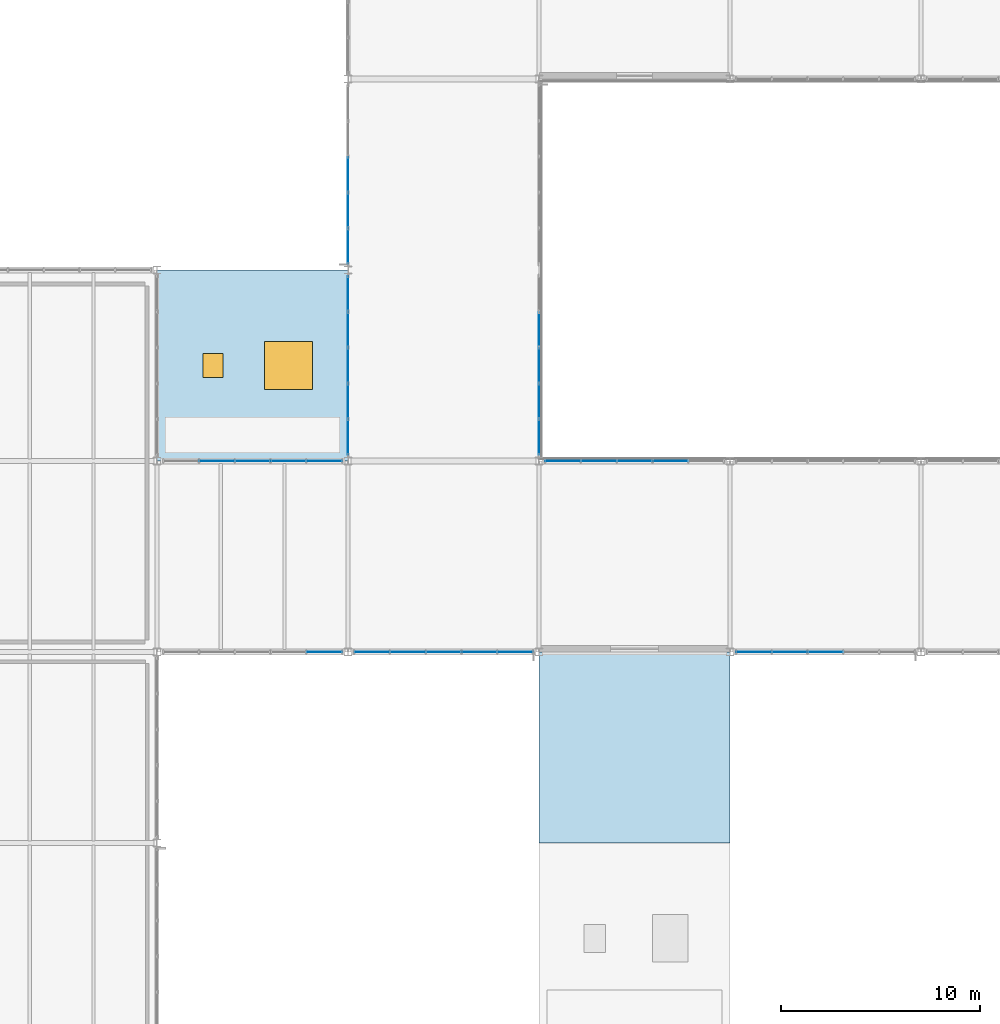
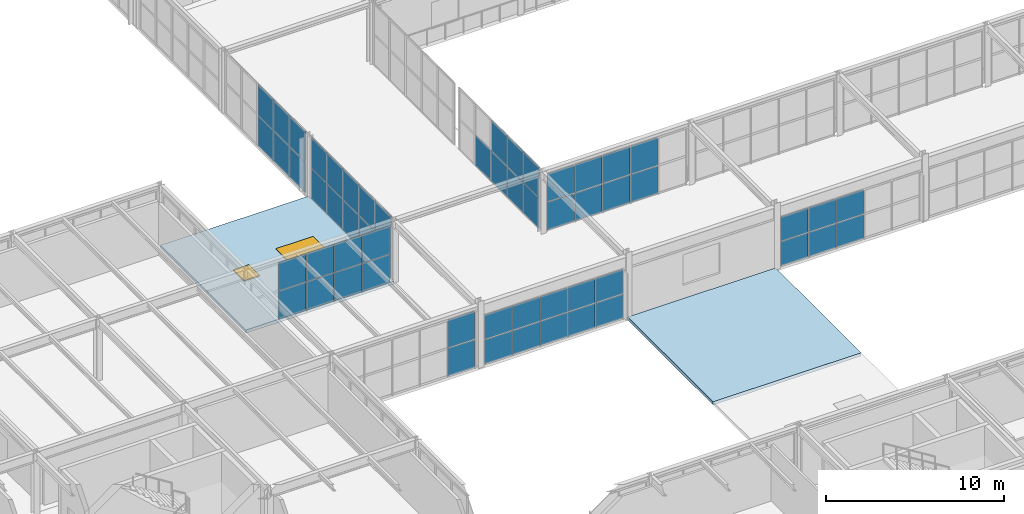
# One storey, part 134 of 170: 57 plates, 2 slabs, 1 door, 1 window, 2 openings, 8 elements without a shape of their own.
"""IFC4 building model written with IfcOpenShell, lengths in metres."""

from ifc_helpers import new_model, si_unit, direction, frame, origin, origin_2d, place, context, subcontext, project, spatial, polyline, rectangle, outline, extrude, material, layer, layer_set, type_object, element, fill, aggregate, save


model = new_model("IFC4")

# Units and contexts
model_context = context("Model", 3, precision=1e-05, world=origin(), true_north=direction((0.0, 1.0)))
body_context = subcontext(model_context, "Body", "Model", "MODEL_VIEW")
ifc_project = project(units=[si_unit("LENGTHUNIT", "METRE"), si_unit("AREAUNIT", "SQUARE_METRE"), si_unit("VOLUMEUNIT", "CUBIC_METRE"), si_unit("PLANEANGLEUNIT", "RADIAN"), si_unit("MASSUNIT", "GRAM", prefix="KILO")], contexts=[model_context])

# Site, building, storey
site_placement = place(None, origin())
site = spatial("IfcSite", under=ifc_project, at=site_placement, CompositionType="ELEMENT")
building_placement = place(site_placement, origin())
building = spatial("IfcBuilding", under=site, at=building_placement, Name="Coralgate Yard Interchange", CompositionType="ELEMENT")
storey_placement = place(building_placement, frame((0.0, 0.0, 6.0)))
storey = spatial("IfcBuildingStorey", under=building, at=storey_placement, Name="L01", CompositionType="ELEMENT", Elevation=6.0)

# Curtain wall, plates
ifc_material_1 = material(Name="Anodised coastal aluminium and solar-control low-E glass", Category="aluminium")
curtain_wall_type_1 = type_object("IfcCurtainWallType", Name="CW-CW-L01-B", PredefinedType="NOTDEFINED", material=ifc_material_1)
curtain_wall_1_placement = place(storey_placement, origin())
curtain_wall_1 = element("IfcCurtainWall", 1, at=curtain_wall_1_placement, inside=storey, type_object=curtain_wall_type_1, Name="L01 unitised curtain wall CW-L01-S-03-04", PredefinedType="NOTDEFINED")
ifc_material_2 = material(Name="Solar-control double-glazed low-E glass unit", Category="glass")
ifc_layer_1 = layer(ifc_material_2, 0.031982421875)
ifc_layer_set_1 = layer_set([ifc_layer_1], Name="Solar-control double-glazed low-E glass unit")
plate_type = type_object("IfcPlateType", Name="PLT-CP-32", PredefinedType="CURTAIN_PANEL", material=ifc_layer_set_1)
plate_1_placement = place(storey_placement, frame((37.199951171875, 38.39990234375, 0.025146484375), z_axis=(0.0, 0.0, 1.0), x_axis=(-1.0, 0.0, 0.0)))
plate_1 = element("IfcPlate", 2, at=plate_1_placement, type_object=plate_type, Name="CW-L01-S-03-04 solar-control glazing panel 1-1", PredefinedType="CURTAIN_PANEL", context=body_context, shape_type="SweptSolid", body=[
    extrude(rectangle(XDim=1.75, YDim=0.031982421875, at=origin_2d()), origin(), (0.0, 0.0, 1.0), 1.89990234375),
])
plate_2_placement = place(storey_placement, frame((37.199951171875, 38.39990234375, 1.97509765625), z_axis=(0.0, 0.0, 1.0), x_axis=(-1.0, 0.0, 0.0)))
plate_2 = element("IfcPlate", 3, at=plate_2_placement, type_object=plate_type, Name="CW-L01-S-03-04 solar-control glazing panel 1-2", PredefinedType="CURTAIN_PANEL", context=body_context, shape_type="SweptSolid", body=[
    extrude(rectangle(XDim=1.75, YDim=0.031982421875, at=origin_2d()), origin(), (0.0, 0.0, 1.0), 1.89990234375),
])
aggregate(curtain_wall_1, [plate_1, plate_2])

curtain_wall_type_2 = type_object("IfcCurtainWallType", Name="CW-CW-L01-A", PredefinedType="NOTDEFINED", material=ifc_material_1)
curtain_wall_2_placement = place(storey_placement, origin())
curtain_wall_2 = element("IfcCurtainWall", 4, at=curtain_wall_2_placement, inside=storey, type_object=curtain_wall_type_2, Name="L01 unitised curtain wall CW-L01-N-03-04", PredefinedType="NOTDEFINED")
plate_3_placement = place(storey_placement, frame((31.800048828125, 48.0, 0.025146484375), z_axis=(0.0, 0.0, 1.0), x_axis=(1.0, 0.0, 0.0)))
plate_3 = element("IfcPlate", 5, at=plate_3_placement, type_object=plate_type, Name="CW-L01-N-03-04 solar-control glazing panel 2-1", PredefinedType="CURTAIN_PANEL", context=body_context, shape_type="SweptSolid", body=[
    extrude(rectangle(XDim=1.75, YDim=0.031982421875, at=origin_2d()), origin(), (0.0, 0.0, 1.0), 1.89990234375),
])
plate_4_placement = place(storey_placement, frame((31.800048828125, 48.0, 1.97509765625), z_axis=(0.0, 0.0, 1.0), x_axis=(1.0, 0.0, 0.0)))
plate_4 = element("IfcPlate", 6, at=plate_4_placement, type_object=plate_type, Name="CW-L01-N-03-04 solar-control glazing panel 2-2", PredefinedType="CURTAIN_PANEL", context=body_context, shape_type="SweptSolid", body=[
    extrude(rectangle(XDim=1.75, YDim=0.031982421875, at=origin_2d()), origin(), (0.0, 0.0, 1.0), 1.89990234375),
])
plate_5_placement = place(storey_placement, frame((33.60009765625, 48.0, 0.025146484375), z_axis=(0.0, 0.0, 1.0), x_axis=(1.0, 0.0, 0.0)))
plate_5 = element("IfcPlate", 7, at=plate_5_placement, type_object=plate_type, Name="CW-L01-N-03-04 solar-control glazing panel 3-1", PredefinedType="CURTAIN_PANEL", context=body_context, shape_type="SweptSolid", body=[
    extrude(rectangle(XDim=1.75, YDim=0.031982421875, at=origin_2d()), origin(), (0.0, 0.0, 1.0), 1.89990234375),
])
plate_6_placement = place(storey_placement, frame((33.60009765625, 48.0, 1.97509765625), z_axis=(0.0, 0.0, 1.0), x_axis=(1.0, 0.0, 0.0)))
plate_6 = element("IfcPlate", 8, at=plate_6_placement, type_object=plate_type, Name="CW-L01-N-03-04 solar-control glazing panel 3-2", PredefinedType="CURTAIN_PANEL", context=body_context, shape_type="SweptSolid", body=[
    extrude(rectangle(XDim=1.75, YDim=0.031982421875, at=origin_2d()), origin(), (0.0, 0.0, 1.0), 1.89990234375),
])
plate_7_placement = place(storey_placement, frame((35.39990234375, 48.0, 0.025146484375), z_axis=(0.0, 0.0, 1.0), x_axis=(1.0, 0.0, 0.0)))
plate_7 = element("IfcPlate", 9, at=plate_7_placement, type_object=plate_type, Name="CW-L01-N-03-04 solar-control glazing panel 4-1", PredefinedType="CURTAIN_PANEL", context=body_context, shape_type="SweptSolid", body=[
    extrude(rectangle(XDim=1.75, YDim=0.031982421875, at=origin_2d()), origin(), (0.0, 0.0, 1.0), 1.89990234375),
])
plate_8_placement = place(storey_placement, frame((35.39990234375, 48.0, 1.97509765625), z_axis=(0.0, 0.0, 1.0), x_axis=(1.0, 0.0, 0.0)))
plate_8 = element("IfcPlate", 10, at=plate_8_placement, type_object=plate_type, Name="CW-L01-N-03-04 solar-control glazing panel 4-2", PredefinedType="CURTAIN_PANEL", context=body_context, shape_type="SweptSolid", body=[
    extrude(rectangle(XDim=1.75, YDim=0.031982421875, at=origin_2d()), origin(), (0.0, 0.0, 1.0), 1.89990234375),
])
plate_9_placement = place(storey_placement, frame((37.199951171875, 48.0, 0.025146484375), z_axis=(0.0, 0.0, 1.0), x_axis=(1.0, 0.0, 0.0)))
plate_9 = element("IfcPlate", 11, at=plate_9_placement, type_object=plate_type, Name="CW-L01-N-03-04 solar-control glazing panel 5-1", PredefinedType="CURTAIN_PANEL", context=body_context, shape_type="SweptSolid", body=[
    extrude(rectangle(XDim=1.75, YDim=0.031982421875, at=origin_2d()), origin(), (0.0, 0.0, 1.0), 1.89990234375),
])
plate_10_placement = place(storey_placement, frame((37.199951171875, 48.0, 1.97509765625), z_axis=(0.0, 0.0, 1.0), x_axis=(1.0, 0.0, 0.0)))
plate_10 = element("IfcPlate", 12, at=plate_10_placement, type_object=plate_type, Name="CW-L01-N-03-04 solar-control glazing panel 5-2", PredefinedType="CURTAIN_PANEL", context=body_context, shape_type="SweptSolid", body=[
    extrude(rectangle(XDim=1.75, YDim=0.031982421875, at=origin_2d()), origin(), (0.0, 0.0, 1.0), 1.89990234375),
])
aggregate(curtain_wall_2, [plate_3, plate_4, plate_5, plate_6, plate_7, plate_8, plate_9, plate_10])

curtain_wall_3_placement = place(storey_placement, origin())
curtain_wall_3 = element("IfcCurtainWall", 13, at=curtain_wall_3_placement, inside=storey, type_object=curtain_wall_type_1, Name="L01 unitised curtain wall CW-L01-S-04-04", PredefinedType="NOTDEFINED")
plate_11_placement = place(storey_placement, frame((46.800048828125, 38.39990234375, 0.02490234375), z_axis=(0.0, 0.0, 1.0), x_axis=(-1.0, 0.0, 0.0)))
plate_11 = element("IfcPlate", 14, at=plate_11_placement, type_object=plate_type, Name="CW-L01-S-04-04 solar-control glazing panel 1-1", PredefinedType="CURTAIN_PANEL", context=body_context, shape_type="SweptSolid", body=[
    extrude(rectangle(XDim=1.75, YDim=0.031982421875, at=origin_2d()), origin(), (0.0, 0.0, 1.0), 1.654541015625),
])
plate_12_placement = place(storey_placement, frame((46.800048828125, 38.39990234375, 1.7294921875), z_axis=(0.0, 0.0, 1.0), x_axis=(-1.0, 0.0, 0.0)))
plate_12 = element("IfcPlate", 15, at=plate_12_placement, type_object=plate_type, Name="CW-L01-S-04-04 solar-control glazing panel 1-2", PredefinedType="CURTAIN_PANEL", context=body_context, shape_type="SweptSolid", body=[
    extrude(rectangle(XDim=1.75, YDim=0.031982421875, at=origin_2d()), origin(), (0.0, 0.0, 1.0), 1.654541015625),
])
plate_13_placement = place(storey_placement, frame((45.0, 38.39990234375, 0.02490234375), z_axis=(0.0, 0.0, 1.0), x_axis=(-1.0, 0.0, 0.0)))
plate_13 = element("IfcPlate", 16, at=plate_13_placement, type_object=plate_type, Name="CW-L01-S-04-04 solar-control glazing panel 2-1", PredefinedType="CURTAIN_PANEL", context=body_context, shape_type="SweptSolid", body=[
    extrude(rectangle(XDim=1.75, YDim=0.031982421875, at=origin_2d()), origin(), (0.0, 0.0, 1.0), 1.654541015625),
])
plate_14_placement = place(storey_placement, frame((45.0, 38.39990234375, 1.7294921875), z_axis=(0.0, 0.0, 1.0), x_axis=(-1.0, 0.0, 0.0)))
plate_14 = element("IfcPlate", 17, at=plate_14_placement, type_object=plate_type, Name="CW-L01-S-04-04 solar-control glazing panel 2-2", PredefinedType="CURTAIN_PANEL", context=body_context, shape_type="SweptSolid", body=[
    extrude(rectangle(XDim=1.75, YDim=0.031982421875, at=origin_2d()), origin(), (0.0, 0.0, 1.0), 1.654541015625),
])
plate_15_placement = place(storey_placement, frame((43.199951171875, 38.39990234375, 0.02490234375), z_axis=(0.0, 0.0, 1.0), x_axis=(-1.0, 0.0, 0.0)))
plate_15 = element("IfcPlate", 18, at=plate_15_placement, type_object=plate_type, Name="CW-L01-S-04-04 solar-control glazing panel 3-1", PredefinedType="CURTAIN_PANEL", context=body_context, shape_type="SweptSolid", body=[
    extrude(rectangle(XDim=1.75, YDim=0.031982421875, at=origin_2d()), origin(), (0.0, 0.0, 1.0), 1.654541015625),
])
plate_16_placement = place(storey_placement, frame((43.199951171875, 38.39990234375, 1.7294921875), z_axis=(0.0, 0.0, 1.0), x_axis=(-1.0, 0.0, 0.0)))
plate_16 = element("IfcPlate", 19, at=plate_16_placement, type_object=plate_type, Name="CW-L01-S-04-04 solar-control glazing panel 3-2", PredefinedType="CURTAIN_PANEL", context=body_context, shape_type="SweptSolid", body=[
    extrude(rectangle(XDim=1.75, YDim=0.031982421875, at=origin_2d()), origin(), (0.0, 0.0, 1.0), 1.654541015625),
])
plate_17_placement = place(storey_placement, frame((41.39990234375, 38.39990234375, 0.02490234375), z_axis=(0.0, 0.0, 1.0), x_axis=(-1.0, 0.0, 0.0)))
plate_17 = element("IfcPlate", 20, at=plate_17_placement, type_object=plate_type, Name="CW-L01-S-04-04 solar-control glazing panel 4-1", PredefinedType="CURTAIN_PANEL", context=body_context, shape_type="SweptSolid", body=[
    extrude(rectangle(XDim=1.75, YDim=0.031982421875, at=origin_2d()), origin(), (0.0, 0.0, 1.0), 1.654541015625),
])
plate_18_placement = place(storey_placement, frame((41.39990234375, 38.39990234375, 1.7294921875), z_axis=(0.0, 0.0, 1.0), x_axis=(-1.0, 0.0, 0.0)))
plate_18 = element("IfcPlate", 21, at=plate_18_placement, type_object=plate_type, Name="CW-L01-S-04-04 solar-control glazing panel 4-2", PredefinedType="CURTAIN_PANEL", context=body_context, shape_type="SweptSolid", body=[
    extrude(rectangle(XDim=1.75, YDim=0.031982421875, at=origin_2d()), origin(), (0.0, 0.0, 1.0), 1.654541015625),
])
plate_19_placement = place(storey_placement, frame((39.60009765625, 38.39990234375, 0.02490234375), z_axis=(0.0, 0.0, 1.0), x_axis=(-1.0, 0.0, 0.0)))
plate_19 = element("IfcPlate", 22, at=plate_19_placement, type_object=plate_type, Name="CW-L01-S-04-04 solar-control glazing panel 5-1", PredefinedType="CURTAIN_PANEL", context=body_context, shape_type="SweptSolid", body=[
    extrude(rectangle(XDim=1.75, YDim=0.031982421875, at=origin_2d()), origin(), (0.0, 0.0, 1.0), 1.654541015625),
])
plate_20_placement = place(storey_placement, frame((39.60009765625, 38.39990234375, 1.7294921875), z_axis=(0.0, 0.0, 1.0), x_axis=(-1.0, 0.0, 0.0)))
plate_20 = element("IfcPlate", 23, at=plate_20_placement, type_object=plate_type, Name="CW-L01-S-04-04 solar-control glazing panel 5-2", PredefinedType="CURTAIN_PANEL", context=body_context, shape_type="SweptSolid", body=[
    extrude(rectangle(XDim=1.75, YDim=0.031982421875, at=origin_2d()), origin(), (0.0, 0.0, 1.0), 1.654541015625),
])
aggregate(curtain_wall_3, [plate_11, plate_12, plate_13, plate_14, plate_15, plate_16, plate_17, plate_18, plate_19, plate_20])

curtain_wall_4_placement = place(storey_placement, origin())
curtain_wall_4 = element("IfcCurtainWall", 24, at=curtain_wall_4_placement, inside=storey, type_object=curtain_wall_type_2, Name="L01 unitised curtain wall CW-L01-W-04-05", PredefinedType="NOTDEFINED")
plate_21_placement = place(storey_placement, frame((38.39990234375, 49.199951171875, 0.02490234375), z_axis=(0.0, 0.0, 1.0), x_axis=(0.0, 1.0, 0.0)))
plate_21 = element("IfcPlate", 25, at=plate_21_placement, type_object=plate_type, Name="CW-L01-W-04-05 solar-control glazing panel 1-1", PredefinedType="CURTAIN_PANEL", context=body_context, shape_type="SweptSolid", body=[
    extrude(rectangle(XDim=1.75, YDim=0.031982421875, at=origin_2d()), origin(), (0.0, 0.0, 1.0), 2.074951171875),
])
plate_22_placement = place(storey_placement, frame((38.39990234375, 49.199951171875, 2.14990234375), z_axis=(0.0, 0.0, 1.0), x_axis=(0.0, 1.0, 0.0)))
plate_22 = element("IfcPlate", 26, at=plate_22_placement, type_object=plate_type, Name="CW-L01-W-04-05 solar-control glazing panel 1-2", PredefinedType="CURTAIN_PANEL", context=body_context, shape_type="SweptSolid", body=[
    extrude(rectangle(XDim=1.75, YDim=0.031982421875, at=origin_2d()), origin(), (0.0, 0.0, 1.0), 2.074951171875),
])
plate_23_placement = place(storey_placement, frame((38.39990234375, 51.0, 0.02490234375), z_axis=(0.0, 0.0, 1.0), x_axis=(0.0, 1.0, 0.0)))
plate_23 = element("IfcPlate", 27, at=plate_23_placement, type_object=plate_type, Name="CW-L01-W-04-05 solar-control glazing panel 2-1", PredefinedType="CURTAIN_PANEL", context=body_context, shape_type="SweptSolid", body=[
    extrude(rectangle(XDim=1.75, YDim=0.031982421875, at=origin_2d()), origin(), (0.0, 0.0, 1.0), 2.074951171875),
])
plate_24_placement = place(storey_placement, frame((38.39990234375, 51.0, 2.14990234375), z_axis=(0.0, 0.0, 1.0), x_axis=(0.0, 1.0, 0.0)))
plate_24 = element("IfcPlate", 28, at=plate_24_placement, type_object=plate_type, Name="CW-L01-W-04-05 solar-control glazing panel 2-2", PredefinedType="CURTAIN_PANEL", context=body_context, shape_type="SweptSolid", body=[
    extrude(rectangle(XDim=1.75, YDim=0.031982421875, at=origin_2d()), origin(), (0.0, 0.0, 1.0), 2.074951171875),
])
plate_25_placement = place(storey_placement, frame((38.39990234375, 52.800048828125, 0.02490234375), z_axis=(0.0, 0.0, 1.0), x_axis=(0.0, 1.0, 0.0)))
plate_25 = element("IfcPlate", 29, at=plate_25_placement, type_object=plate_type, Name="CW-L01-W-04-05 solar-control glazing panel 3-1", PredefinedType="CURTAIN_PANEL", context=body_context, shape_type="SweptSolid", body=[
    extrude(rectangle(XDim=1.75, YDim=0.031982421875, at=origin_2d()), origin(), (0.0, 0.0, 1.0), 2.074951171875),
])
plate_26_placement = place(storey_placement, frame((38.39990234375, 52.800048828125, 2.14990234375), z_axis=(0.0, 0.0, 1.0), x_axis=(0.0, 1.0, 0.0)))
plate_26 = element("IfcPlate", 30, at=plate_26_placement, type_object=plate_type, Name="CW-L01-W-04-05 solar-control glazing panel 3-2", PredefinedType="CURTAIN_PANEL", context=body_context, shape_type="SweptSolid", body=[
    extrude(rectangle(XDim=1.75, YDim=0.031982421875, at=origin_2d()), origin(), (0.0, 0.0, 1.0), 2.074951171875),
])
plate_27_placement = place(storey_placement, frame((38.39990234375, 54.60009765625, 0.02490234375), z_axis=(0.0, 0.0, 1.0), x_axis=(0.0, 1.0, 0.0)))
plate_27 = element("IfcPlate", 31, at=plate_27_placement, type_object=plate_type, Name="CW-L01-W-04-05 solar-control glazing panel 4-1", PredefinedType="CURTAIN_PANEL", context=body_context, shape_type="SweptSolid", body=[
    extrude(rectangle(XDim=1.75, YDim=0.031982421875, at=origin_2d()), origin(), (0.0, 0.0, 1.0), 2.074951171875),
])
plate_28_placement = place(storey_placement, frame((38.39990234375, 54.60009765625, 2.14990234375), z_axis=(0.0, 0.0, 1.0), x_axis=(0.0, 1.0, 0.0)))
plate_28 = element("IfcPlate", 32, at=plate_28_placement, type_object=plate_type, Name="CW-L01-W-04-05 solar-control glazing panel 4-2", PredefinedType="CURTAIN_PANEL", context=body_context, shape_type="SweptSolid", body=[
    extrude(rectangle(XDim=1.75, YDim=0.031982421875, at=origin_2d()), origin(), (0.0, 0.0, 1.0), 2.074951171875),
])
plate_29_placement = place(storey_placement, frame((38.39990234375, 56.39990234375, 0.02490234375), z_axis=(0.0, 0.0, 1.0), x_axis=(0.0, 1.0, 0.0)))
plate_29 = element("IfcPlate", 33, at=plate_29_placement, type_object=plate_type, Name="CW-L01-W-04-05 solar-control glazing panel 5-1", PredefinedType="CURTAIN_PANEL", context=body_context, shape_type="SweptSolid", body=[
    extrude(rectangle(XDim=1.75, YDim=0.031982421875, at=origin_2d()), origin(), (0.0, 0.0, 1.0), 2.074951171875),
])
plate_30_placement = place(storey_placement, frame((38.39990234375, 56.39990234375, 2.14990234375), z_axis=(0.0, 0.0, 1.0), x_axis=(0.0, 1.0, 0.0)))
plate_30 = element("IfcPlate", 34, at=plate_30_placement, type_object=plate_type, Name="CW-L01-W-04-05 solar-control glazing panel 5-2", PredefinedType="CURTAIN_PANEL", context=body_context, shape_type="SweptSolid", body=[
    extrude(rectangle(XDim=1.75, YDim=0.031982421875, at=origin_2d()), origin(), (0.0, 0.0, 1.0), 2.074951171875),
])
aggregate(curtain_wall_4, [plate_21, plate_22, plate_23, plate_24, plate_25, plate_26, plate_27, plate_28, plate_29, plate_30])

curtain_wall_5_placement = place(storey_placement, origin())
curtain_wall_5 = element("IfcCurtainWall", 35, at=curtain_wall_5_placement, inside=storey, type_object=curtain_wall_type_1, Name="L01 unitised curtain wall CW-L01-E-04-05", PredefinedType="NOTDEFINED")
plate_31_placement = place(storey_placement, frame((48.0, 54.60009765625, 0.02490234375), z_axis=(0.0, 0.0, 1.0), x_axis=(0.0, -1.0, 0.0)))
plate_31 = element("IfcPlate", 36, at=plate_31_placement, type_object=plate_type, Name="CW-L01-E-04-05 solar-control glazing panel 2-1", PredefinedType="CURTAIN_PANEL", context=body_context, shape_type="SweptSolid", body=[
    extrude(rectangle(XDim=1.75, YDim=0.031982421875, at=origin_2d()), origin(), (0.0, 0.0, 1.0), 2.074951171875),
])
plate_32_placement = place(storey_placement, frame((48.0, 52.800048828125, 0.02490234375), z_axis=(0.0, 0.0, 1.0), x_axis=(0.0, -1.0, 0.0)))
plate_32 = element("IfcPlate", 37, at=plate_32_placement, type_object=plate_type, Name="CW-L01-E-04-05 solar-control glazing panel 3-1", PredefinedType="CURTAIN_PANEL", context=body_context, shape_type="SweptSolid", body=[
    extrude(rectangle(XDim=1.75, YDim=0.031982421875, at=origin_2d()), origin(), (0.0, 0.0, 1.0), 2.074951171875),
])
plate_33_placement = place(storey_placement, frame((48.0, 52.800048828125, 2.14990234375), z_axis=(0.0, 0.0, 1.0), x_axis=(0.0, -1.0, 0.0)))
plate_33 = element("IfcPlate", 38, at=plate_33_placement, type_object=plate_type, Name="CW-L01-E-04-05 solar-control glazing panel 3-2", PredefinedType="CURTAIN_PANEL", context=body_context, shape_type="SweptSolid", body=[
    extrude(rectangle(XDim=1.75, YDim=0.031982421875, at=origin_2d()), origin(), (0.0, 0.0, 1.0), 2.074951171875),
])
plate_34_placement = place(storey_placement, frame((48.0, 51.0, 0.02490234375), z_axis=(0.0, 0.0, 1.0), x_axis=(0.0, -1.0, 0.0)))
plate_34 = element("IfcPlate", 39, at=plate_34_placement, type_object=plate_type, Name="CW-L01-E-04-05 solar-control glazing panel 4-1", PredefinedType="CURTAIN_PANEL", context=body_context, shape_type="SweptSolid", body=[
    extrude(rectangle(XDim=1.75, YDim=0.031982421875, at=origin_2d()), origin(), (0.0, 0.0, 1.0), 2.074951171875),
])
plate_35_placement = place(storey_placement, frame((48.0, 51.0, 2.14990234375), z_axis=(0.0, 0.0, 1.0), x_axis=(0.0, -1.0, 0.0)))
plate_35 = element("IfcPlate", 40, at=plate_35_placement, type_object=plate_type, Name="CW-L01-E-04-05 solar-control glazing panel 4-2", PredefinedType="CURTAIN_PANEL", context=body_context, shape_type="SweptSolid", body=[
    extrude(rectangle(XDim=1.75, YDim=0.031982421875, at=origin_2d()), origin(), (0.0, 0.0, 1.0), 2.074951171875),
])
plate_36_placement = place(storey_placement, frame((48.0, 49.199951171875, 0.02490234375), z_axis=(0.0, 0.0, 1.0), x_axis=(0.0, -1.0, 0.0)))
plate_36 = element("IfcPlate", 41, at=plate_36_placement, type_object=plate_type, Name="CW-L01-E-04-05 solar-control glazing panel 5-1", PredefinedType="CURTAIN_PANEL", context=body_context, shape_type="SweptSolid", body=[
    extrude(rectangle(XDim=1.75, YDim=0.031982421875, at=origin_2d()), origin(), (0.0, 0.0, 1.0), 2.074951171875),
])
plate_37_placement = place(storey_placement, frame((48.0, 49.199951171875, 2.14990234375), z_axis=(0.0, 0.0, 1.0), x_axis=(0.0, -1.0, 0.0)))
plate_37 = element("IfcPlate", 42, at=plate_37_placement, type_object=plate_type, Name="CW-L01-E-04-05 solar-control glazing panel 5-2", PredefinedType="CURTAIN_PANEL", context=body_context, shape_type="SweptSolid", body=[
    extrude(rectangle(XDim=1.75, YDim=0.031982421875, at=origin_2d()), origin(), (0.0, 0.0, 1.0), 2.074951171875),
])
aggregate(curtain_wall_5, [plate_31, plate_32, plate_33, plate_34, plate_35, plate_36, plate_37])

curtain_wall_6_placement = place(storey_placement, origin())
curtain_wall_6 = element("IfcCurtainWall", 43, at=curtain_wall_6_placement, inside=storey, type_object=curtain_wall_type_2, Name="L01 unitised curtain wall CW-L01-W-04-06", PredefinedType="NOTDEFINED")
plate_38_placement = place(storey_placement, frame((38.39990234375, 58.800048828125, 0.02490234375), z_axis=(0.0, 0.0, 1.0), x_axis=(0.0, 1.0, 0.0)))
plate_38 = element("IfcPlate", 44, at=plate_38_placement, type_object=plate_type, Name="CW-L01-W-04-06 solar-control glazing panel 1-1", PredefinedType="CURTAIN_PANEL", context=body_context, shape_type="SweptSolid", body=[
    extrude(rectangle(XDim=1.75, YDim=0.031982421875, at=origin_2d()), origin(), (0.0, 0.0, 1.0), 2.074951171875),
])
plate_39_placement = place(storey_placement, frame((38.39990234375, 58.800048828125, 2.14990234375), z_axis=(0.0, 0.0, 1.0), x_axis=(0.0, 1.0, 0.0)))
plate_39 = element("IfcPlate", 45, at=plate_39_placement, type_object=plate_type, Name="CW-L01-W-04-06 solar-control glazing panel 1-2", PredefinedType="CURTAIN_PANEL", context=body_context, shape_type="SweptSolid", body=[
    extrude(rectangle(XDim=1.75, YDim=0.031982421875, at=origin_2d()), origin(), (0.0, 0.0, 1.0), 2.074951171875),
])
plate_40_placement = place(storey_placement, frame((38.39990234375, 60.60009765625, 0.02490234375), z_axis=(0.0, 0.0, 1.0), x_axis=(0.0, 1.0, 0.0)))
plate_40 = element("IfcPlate", 46, at=plate_40_placement, type_object=plate_type, Name="CW-L01-W-04-06 solar-control glazing panel 2-1", PredefinedType="CURTAIN_PANEL", context=body_context, shape_type="SweptSolid", body=[
    extrude(rectangle(XDim=1.75, YDim=0.031982421875, at=origin_2d()), origin(), (0.0, 0.0, 1.0), 2.074951171875),
])
plate_41_placement = place(storey_placement, frame((38.39990234375, 60.60009765625, 2.14990234375), z_axis=(0.0, 0.0, 1.0), x_axis=(0.0, 1.0, 0.0)))
plate_41 = element("IfcPlate", 47, at=plate_41_placement, type_object=plate_type, Name="CW-L01-W-04-06 solar-control glazing panel 2-2", PredefinedType="CURTAIN_PANEL", context=body_context, shape_type="SweptSolid", body=[
    extrude(rectangle(XDim=1.75, YDim=0.031982421875, at=origin_2d()), origin(), (0.0, 0.0, 1.0), 2.074951171875),
])
plate_42_placement = place(storey_placement, frame((38.39990234375, 62.39990234375, 0.02490234375), z_axis=(0.0, 0.0, 1.0), x_axis=(0.0, 1.0, 0.0)))
plate_42 = element("IfcPlate", 48, at=plate_42_placement, type_object=plate_type, Name="CW-L01-W-04-06 solar-control glazing panel 3-1", PredefinedType="CURTAIN_PANEL", context=body_context, shape_type="SweptSolid", body=[
    extrude(rectangle(XDim=1.75, YDim=0.031982421875, at=origin_2d()), origin(), (0.0, 0.0, 1.0), 2.074951171875),
])
plate_43_placement = place(storey_placement, frame((38.39990234375, 62.39990234375, 2.14990234375), z_axis=(0.0, 0.0, 1.0), x_axis=(0.0, 1.0, 0.0)))
plate_43 = element("IfcPlate", 49, at=plate_43_placement, type_object=plate_type, Name="CW-L01-W-04-06 solar-control glazing panel 3-2", PredefinedType="CURTAIN_PANEL", context=body_context, shape_type="SweptSolid", body=[
    extrude(rectangle(XDim=1.75, YDim=0.031982421875, at=origin_2d()), origin(), (0.0, 0.0, 1.0), 2.074951171875),
])
aggregate(curtain_wall_6, [plate_38, plate_39, plate_40, plate_41, plate_42, plate_43])

curtain_wall_7_placement = place(storey_placement, origin())
curtain_wall_7 = element("IfcCurtainWall", 50, at=curtain_wall_7_placement, inside=storey, type_object=curtain_wall_type_1, Name="L01 unitised curtain wall CW-L01-N-05-04", PredefinedType="NOTDEFINED")
plate_44_placement = place(storey_placement, frame((49.199951171875, 48.0, 0.025146484375), z_axis=(0.0, 0.0, 1.0), x_axis=(1.0, 0.0, 0.0)))
plate_44 = element("IfcPlate", 51, at=plate_44_placement, type_object=plate_type, Name="CW-L01-N-05-04 solar-control glazing panel 1-1", PredefinedType="CURTAIN_PANEL", context=body_context, shape_type="SweptSolid", body=[
    extrude(rectangle(XDim=1.75, YDim=0.031982421875, at=origin_2d()), origin(), (0.0, 0.0, 1.0), 1.89990234375),
])
plate_45_placement = place(storey_placement, frame((49.199951171875, 48.0, 1.97509765625), z_axis=(0.0, 0.0, 1.0), x_axis=(1.0, 0.0, 0.0)))
plate_45 = element("IfcPlate", 52, at=plate_45_placement, type_object=plate_type, Name="CW-L01-N-05-04 solar-control glazing panel 1-2", PredefinedType="CURTAIN_PANEL", context=body_context, shape_type="SweptSolid", body=[
    extrude(rectangle(XDim=1.75, YDim=0.031982421875, at=origin_2d()), origin(), (0.0, 0.0, 1.0), 1.89990234375),
])
plate_46_placement = place(storey_placement, frame((51.0, 48.0, 0.025146484375), z_axis=(0.0, 0.0, 1.0), x_axis=(1.0, 0.0, 0.0)))
plate_46 = element("IfcPlate", 53, at=plate_46_placement, type_object=plate_type, Name="CW-L01-N-05-04 solar-control glazing panel 2-1", PredefinedType="CURTAIN_PANEL", context=body_context, shape_type="SweptSolid", body=[
    extrude(rectangle(XDim=1.75, YDim=0.031982421875, at=origin_2d()), origin(), (0.0, 0.0, 1.0), 1.89990234375),
])
plate_47_placement = place(storey_placement, frame((51.0, 48.0, 1.97509765625), z_axis=(0.0, 0.0, 1.0), x_axis=(1.0, 0.0, 0.0)))
plate_47 = element("IfcPlate", 54, at=plate_47_placement, type_object=plate_type, Name="CW-L01-N-05-04 solar-control glazing panel 2-2", PredefinedType="CURTAIN_PANEL", context=body_context, shape_type="SweptSolid", body=[
    extrude(rectangle(XDim=1.75, YDim=0.031982421875, at=origin_2d()), origin(), (0.0, 0.0, 1.0), 1.89990234375),
])
plate_48_placement = place(storey_placement, frame((52.800048828125, 48.0, 0.025146484375), z_axis=(0.0, 0.0, 1.0), x_axis=(1.0, 0.0, 0.0)))
plate_48 = element("IfcPlate", 55, at=plate_48_placement, type_object=plate_type, Name="CW-L01-N-05-04 solar-control glazing panel 3-1", PredefinedType="CURTAIN_PANEL", context=body_context, shape_type="SweptSolid", body=[
    extrude(rectangle(XDim=1.75, YDim=0.031982421875, at=origin_2d()), origin(), (0.0, 0.0, 1.0), 1.89990234375),
])
plate_49_placement = place(storey_placement, frame((52.800048828125, 48.0, 1.97509765625), z_axis=(0.0, 0.0, 1.0), x_axis=(1.0, 0.0, 0.0)))
plate_49 = element("IfcPlate", 56, at=plate_49_placement, type_object=plate_type, Name="CW-L01-N-05-04 solar-control glazing panel 3-2", PredefinedType="CURTAIN_PANEL", context=body_context, shape_type="SweptSolid", body=[
    extrude(rectangle(XDim=1.75, YDim=0.031982421875, at=origin_2d()), origin(), (0.0, 0.0, 1.0), 1.89990234375),
])
plate_50_placement = place(storey_placement, frame((54.60009765625, 48.0, 0.025146484375), z_axis=(0.0, 0.0, 1.0), x_axis=(1.0, 0.0, 0.0)))
plate_50 = element("IfcPlate", 57, at=plate_50_placement, type_object=plate_type, Name="CW-L01-N-05-04 solar-control glazing panel 4-1", PredefinedType="CURTAIN_PANEL", context=body_context, shape_type="SweptSolid", body=[
    extrude(rectangle(XDim=1.75, YDim=0.031982421875, at=origin_2d()), origin(), (0.0, 0.0, 1.0), 1.89990234375),
])
plate_51_placement = place(storey_placement, frame((54.60009765625, 48.0, 1.97509765625), z_axis=(0.0, 0.0, 1.0), x_axis=(1.0, 0.0, 0.0)))
plate_51 = element("IfcPlate", 58, at=plate_51_placement, type_object=plate_type, Name="CW-L01-N-05-04 solar-control glazing panel 4-2", PredefinedType="CURTAIN_PANEL", context=body_context, shape_type="SweptSolid", body=[
    extrude(rectangle(XDim=1.75, YDim=0.031982421875, at=origin_2d()), origin(), (0.0, 0.0, 1.0), 1.89990234375),
])
aggregate(curtain_wall_7, [plate_44, plate_45, plate_46, plate_47, plate_48, plate_49, plate_50, plate_51])

curtain_wall_8_placement = place(storey_placement, origin())
curtain_wall_8 = element("IfcCurtainWall", 59, at=curtain_wall_8_placement, inside=storey, type_object=curtain_wall_type_2, Name="L01 unitised curtain wall CW-L01-S-06-04", PredefinedType="NOTDEFINED")
plate_52_placement = place(storey_placement, frame((62.39990234375, 38.39990234375, 0.02490234375), z_axis=(0.0, 0.0, 1.0), x_axis=(-1.0, 0.0, 0.0)))
plate_52 = element("IfcPlate", 60, at=plate_52_placement, type_object=plate_type, Name="CW-L01-S-06-04 solar-control glazing panel 3-1", PredefinedType="CURTAIN_PANEL", context=body_context, shape_type="SweptSolid", body=[
    extrude(rectangle(XDim=1.75, YDim=0.031982421875, at=origin_2d()), origin(), (0.0, 0.0, 1.0), 1.654541015625),
])
plate_53_placement = place(storey_placement, frame((62.39990234375, 38.39990234375, 1.7294921875), z_axis=(0.0, 0.0, 1.0), x_axis=(-1.0, 0.0, 0.0)))
plate_53 = element("IfcPlate", 61, at=plate_53_placement, type_object=plate_type, Name="CW-L01-S-06-04 solar-control glazing panel 3-2", PredefinedType="CURTAIN_PANEL", context=body_context, shape_type="SweptSolid", body=[
    extrude(rectangle(XDim=1.75, YDim=0.031982421875, at=origin_2d()), origin(), (0.0, 0.0, 1.0), 1.654541015625),
])
plate_54_placement = place(storey_placement, frame((60.60009765625, 38.39990234375, 0.02490234375), z_axis=(0.0, 0.0, 1.0), x_axis=(-1.0, 0.0, 0.0)))
plate_54 = element("IfcPlate", 62, at=plate_54_placement, type_object=plate_type, Name="CW-L01-S-06-04 solar-control glazing panel 4-1", PredefinedType="CURTAIN_PANEL", context=body_context, shape_type="SweptSolid", body=[
    extrude(rectangle(XDim=1.75, YDim=0.031982421875, at=origin_2d()), origin(), (0.0, 0.0, 1.0), 1.654541015625),
])
plate_55_placement = place(storey_placement, frame((60.60009765625, 38.39990234375, 1.7294921875), z_axis=(0.0, 0.0, 1.0), x_axis=(-1.0, 0.0, 0.0)))
plate_55 = element("IfcPlate", 63, at=plate_55_placement, type_object=plate_type, Name="CW-L01-S-06-04 solar-control glazing panel 4-2", PredefinedType="CURTAIN_PANEL", context=body_context, shape_type="SweptSolid", body=[
    extrude(rectangle(XDim=1.75, YDim=0.031982421875, at=origin_2d()), origin(), (0.0, 0.0, 1.0), 1.654541015625),
])
plate_56_placement = place(storey_placement, frame((58.800048828125, 38.39990234375, 0.02490234375), z_axis=(0.0, 0.0, 1.0), x_axis=(-1.0, 0.0, 0.0)))
plate_56 = element("IfcPlate", 64, at=plate_56_placement, type_object=plate_type, Name="CW-L01-S-06-04 solar-control glazing panel 5-1", PredefinedType="CURTAIN_PANEL", context=body_context, shape_type="SweptSolid", body=[
    extrude(rectangle(XDim=1.75, YDim=0.031982421875, at=origin_2d()), origin(), (0.0, 0.0, 1.0), 1.654541015625),
])
plate_57_placement = place(storey_placement, frame((58.800048828125, 38.39990234375, 1.7294921875), z_axis=(0.0, 0.0, 1.0), x_axis=(-1.0, 0.0, 0.0)))
plate_57 = element("IfcPlate", 65, at=plate_57_placement, type_object=plate_type, Name="CW-L01-S-06-04 solar-control glazing panel 5-2", PredefinedType="CURTAIN_PANEL", context=body_context, shape_type="SweptSolid", body=[
    extrude(rectangle(XDim=1.75, YDim=0.031982421875, at=origin_2d()), origin(), (0.0, 0.0, 1.0), 1.654541015625),
])
aggregate(curtain_wall_8, [plate_52, plate_53, plate_54, plate_55, plate_56, plate_57])

# Slab, openings, door, window
ifc_material_3 = material(Name="Concrete C40/50", Category="concrete")
ifc_layer_2 = layer(ifc_material_3, 0.219970703125)
ifc_layer_set_2 = layer_set([ifc_layer_2], Name="Concrete C40/50")
slab_type = type_object("IfcSlabType", Name="SLB-SL-RF220", PredefinedType="ROOF", material=ifc_layer_set_2)
slab_1_placement = place(storey_placement, frame((0.0, 0.0, -0.219970703125)))
slab_1 = element("IfcSlab", 66, at=slab_1_placement, inside=storey, type_object=slab_type, Name="L01 flat concrete roof bay 1 over L00", PredefinedType="ROOF", context=body_context, shape_type="SweptSolid", body=[
    extrude(outline(polyline([(28.800048828125, 48.0), (38.39990234375, 48.0), (38.39990234375, 57.60009765625), (28.800048828125, 57.60009765625), (28.800048828125, 48.0)])), origin(), (0.0, 0.0, 1.0), 0.219970703125),
])
opening_1_placement = place(slab_1_placement, frame((31.60009765625, 52.800048828125, -0.010009765625)))
opening_1 = element("IfcOpeningElement", 67, at=opening_1_placement, cuts=slab_1, Name="Opening RH-1", PredefinedType="OPENING", context=body_context, shape_type="SweptSolid", body=[
    extrude(rectangle(XDim=1.0, YDim=1.199951171875, at=origin_2d()), origin(), (0.0, 0.0, 1.0), 0.2900390625),
])
opening_2_placement = place(slab_1_placement, frame((35.39990234375, 52.800048828125, -0.010009765625)))
opening_2 = element("IfcOpeningElement", 68, at=opening_2_placement, cuts=slab_1, Name="Opening SK-01", PredefinedType="OPENING", context=body_context, shape_type="SweptSolid", body=[
    extrude(rectangle(XDim=2.39990234375, YDim=2.39990234375, at=origin_2d()), origin(), (0.0, 0.0, 1.0), 0.2900390625),
])
ifc_material_4 = material(Name="Insulated marine aluminium roof access hatch", Category="aluminium")
door_type = type_object("IfcDoorType", Name="DOR-RH-1", OperationType="NOTDEFINED", PredefinedType="TRAPDOOR", material=ifc_material_4)
door_placement = place(opening_1_placement, frame((0.0, 0.0, 0.22998046875)))
door = element("IfcDoor", 69, at=door_placement, inside=storey, type_object=door_type, Name="L01 maintenance roof access hatch RH-01", OperationType="SINGLE_SWING_LEFT", OverallHeight=1.199951171875, OverallWidth=1.0, PredefinedType="TRAPDOOR", context=body_context, shape_type="SweptSolid", body=[
    extrude(rectangle(XDim=1.0, YDim=1.199951171875, at=origin_2d()), origin(), (0.0, 0.0, 1.0), 0.050048828125),
])
fill(opening_1, door)
ifc_material_5 = material(Name="Thermally broken anodised aluminium and solar-control low-E glass", Category="aluminium")
window_type = type_object("IfcWindowType", Name="WIN-SK-01", PartitioningType="SINGLE_PANEL", PredefinedType="SKYLIGHT", material=ifc_material_5)
window_placement = place(opening_2_placement, frame((0.0, 0.0, 0.22998046875)))
window = element("IfcWindow", 70, at=window_placement, inside=storey, type_object=window_type, Name="L01 insulated roof skylight SK-01", OverallHeight=2.39990234375, OverallWidth=2.39990234375, PartitioningType="SINGLE_PANEL", PredefinedType="SKYLIGHT", context=body_context, shape_type="SweptSolid", body=[
    extrude(rectangle(XDim=2.39990234375, YDim=2.39990234375, at=origin_2d()), origin(), (0.0, 0.0, 1.0), 0.050048828125),
])
fill(opening_2, window)

# Slab
slab_2_placement = place(storey_placement, frame((0.0, 0.0, -0.219970703125)))
element("IfcSlab", 71, at=slab_2_placement, inside=storey, type_object=slab_type, Name="L01 insulated flat concrete roof over L00", PredefinedType="ROOF", context=body_context, shape_type="SweptSolid", body=[
    extrude(outline(polyline([(48.0, 28.800048828125), (48.0, 38.39990234375), (57.60009765625, 38.39990234375), (57.60009765625, 28.800048828125), (48.0, 28.800048828125)])), origin(), (0.0, 0.0, 1.0), 0.219970703125),
])

save(model, "model.ifc")
